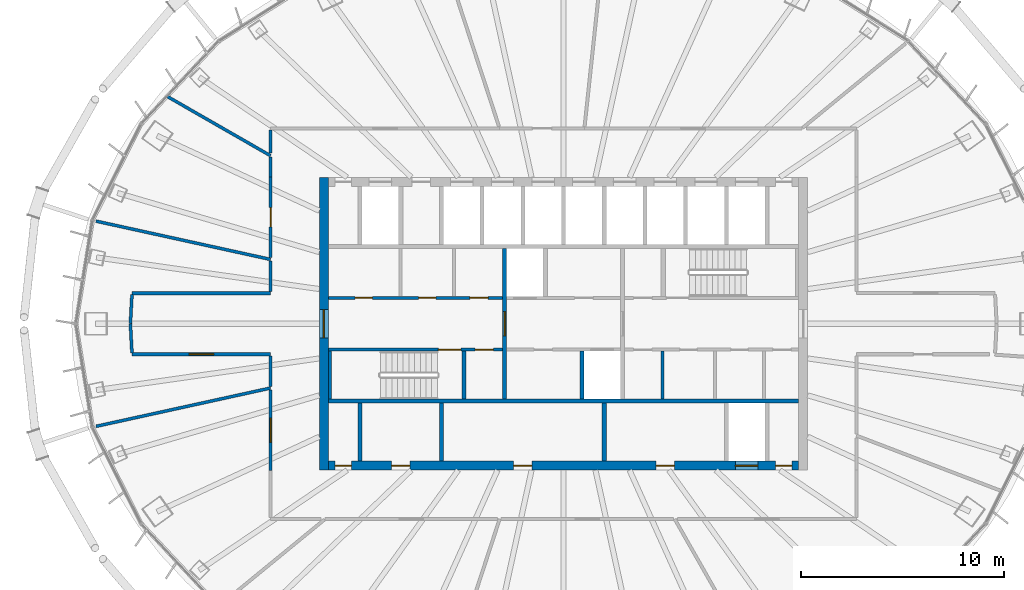
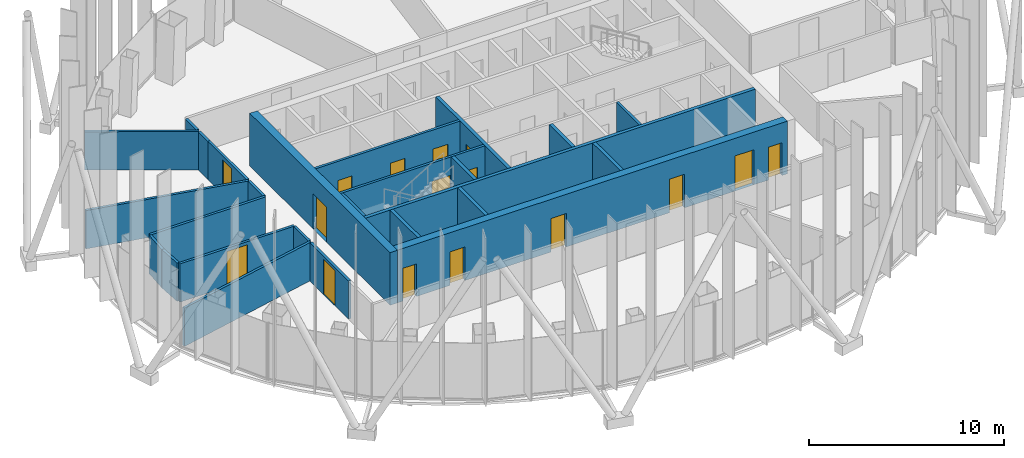
# One storey, part 9 of 18: 26 walls, 16 doors, 16 openings.
"""IFC4 building model written with IfcOpenShell, lengths in metres."""

from ifc_helpers import new_model, si_unit, direction, frame, frame_2d, origin, place, context, subcontext, project, spatial, rectangle, extrude, material, layer, layer_set, type_object, element, fill, save


model = new_model("IFC4")

# Units and contexts
model_context = context("Model", 3, precision=1e-05, world=origin(), true_north=direction((0.0, 1.0)))
body_context = subcontext(model_context, "Body", "Model", "MODEL_VIEW")
ifc_project = project(units=[si_unit("LENGTHUNIT", "METRE"), si_unit("AREAUNIT", "SQUARE_METRE"), si_unit("VOLUMEUNIT", "CUBIC_METRE"), si_unit("PLANEANGLEUNIT", "RADIAN"), si_unit("MASSUNIT", "GRAM", prefix="KILO")], contexts=[model_context])

# Site, building, storey
site_placement = place(None, origin())
site = spatial("IfcSite", under=ifc_project, at=site_placement, CompositionType="ELEMENT")
building_placement = place(site_placement, origin())
building = spatial("IfcBuilding", under=site, at=building_placement, Name="Siaravel Broadcast Tower", CompositionType="ELEMENT")
storey_placement = place(building_placement, frame((0.0, 0.0, 157.10009765625)))
storey = spatial("IfcBuildingStorey", under=building, at=storey_placement, Name="L37", CompositionType="ELEMENT", Elevation=157.10009765625)

# Walls
ifc_material_1 = material(Name="Concrete blockwork", Category="masonry")
ifc_layer_1 = layer(ifc_material_1, 0.14990234375)
ifc_layer_set_1 = layer_set([ifc_layer_1], Name="Concrete blockwork")
wall_type_1 = type_object("IfcWallType", Name="Core partition 150", PredefinedType="PARTITIONING", material=ifc_layer_set_1)
wall_1_placement = place(storey_placement, frame((4.85693359375, -3.699951171875, 0.0), z_axis=(0.0, 0.0, 1.0), x_axis=(0.0, 1.0, 0.0)))
element("IfcWall", 1, at=wall_1_placement, inside=storey, type_object=wall_type_1, Name="L37 core partition PSE0", PredefinedType="PARTITIONING", context=body_context, shape_type="SweptSolid", body=[
    extrude(rectangle(XDim=2.349853515625, YDim=0.14990234375, at=frame_2d((1.1748046875, 0.0))), origin(), (0.0, 0.0, 1.0), 3.2998046875),
])
ifc_layer_2 = layer(ifc_material_1, 0.199951171875)
ifc_layer_set_2 = layer_set([ifc_layer_2], Name="Concrete blockwork")
wall_type_2 = type_object("IfcWallType", Name="Core partition 200", PredefinedType="PARTITIONING", material=ifc_layer_set_2)
for number, where, z_axis, x_axis, name in (
    (2, (-6.0, -6.75, 0.0), (0.0, 0.0, 1.0), (0.0, 1.0, 0.0), "L37 core partition PFS0"),
    (3, (2.0, -6.75, 0.0), (0.0, 0.0, 1.0), (0.0, 1.0, 0.0), "L37 core partition PFS2"),
):
    element("IfcWall", number, at=place(storey_placement, frame(where, z_axis=z_axis, x_axis=x_axis)), inside=storey, type_object=wall_type_2, Name=name, PredefinedType="PARTITIONING", context=body_context, shape_type="SweptSolid", body=[
        extrude(rectangle(XDim=2.85009765625, YDim=0.199951171875, at=frame_2d((1.425048828125, 0.0))), origin(), (0.0, 0.0, 1.0), 3.2998046875),
    ])

# Wall, opening, door
ifc_material_2 = material(Name="Concrete C60/75", Category="concrete")
ifc_layer_3 = layer(ifc_material_2, 0.449951171875)
ifc_layer_set_3 = layer_set([ifc_layer_3], Name="Concrete C60/75")
wall_type_3 = type_object("IfcWallType", Name="Core wall 450", PredefinedType="SHEAR", material=ifc_layer_set_3)
wall_2_placement = place(storey_placement, frame((-11.77490234375, -7.199951171875, 0.0), z_axis=(0.0, 0.0, 1.0), x_axis=(0.0, 1.0, 0.0)))
wall_2 = element("IfcWall", 4, at=wall_2_placement, inside=storey, type_object=wall_type_3, Name="L37 core wall OW", PredefinedType="SHEAR", context=body_context, shape_type="SweptSolid", body=[
    extrude(rectangle(XDim=14.39990234375, YDim=0.449951171875, at=frame_2d((7.199951171875, 0.0))), origin(), (0.0, 0.0, 1.0), 3.2998046875),
])
opening_1_placement = place(wall_2_placement, frame((6.5, 0.0, 0.0)))
opening_1 = element("IfcOpeningElement", 5, at=opening_1_placement, cuts=wall_2, Name="Opening L37-DX-W", PredefinedType="OPENING", context=body_context, shape_type="SweptSolid", body=[
    extrude(rectangle(XDim=1.39990234375, YDim=2.199951171875, at=frame_2d((0.699951171875, 1.10009765625))), frame((0.0, 0.23486328125, 0.0), z_axis=(0.0, -1.0, 0.0), x_axis=(1.0, 0.0, 0.0)), (0.0, 0.0, 1.0), 0.469970703125),
])
ifc_material_3 = material(Name="Steel", Category="steel")
door_type_1 = type_object("IfcDoorType", Name="Core exit door 1400", OperationType="DOUBLE_DOOR_SINGLE_SWING", PredefinedType="DOOR", material=ifc_material_3)
door_1_placement = place(opening_1_placement, origin())
door_1 = element("IfcDoor", 6, at=door_1_placement, inside=storey, type_object=door_type_1, Name="L37 door DX-W", OperationType="DOUBLE_DOOR_SINGLE_SWING", OverallHeight=2.199951171875, OverallWidth=1.39990234375, PredefinedType="DOOR", context=body_context, shape_type="SweptSolid", body=[
    extrude(rectangle(XDim=1.39990234375, YDim=2.199951171875, at=frame_2d((0.699951171875, 1.10009765625))), frame((0.0, 0.02490234375, 0.0), z_axis=(0.0, -1.0, 0.0), x_axis=(1.0, 0.0, 0.0)), (0.0, 0.0, 1.0), 0.050048828125),
])
fill(opening_1, door_1)

# Wall, openings, doors
wall_3_placement = place(storey_placement, frame((-11.550048828125, -6.97509765625, 0.0), z_axis=(0.0, 0.0, 1.0), x_axis=(1.0, 0.0, 0.0)))
wall_3 = element("IfcWall", 7, at=wall_3_placement, inside=storey, type_object=wall_type_3, Name="L37 core wall OS", PredefinedType="SHEAR", context=body_context, shape_type="SweptSolid", body=[
    extrude(rectangle(XDim=23.10009765625, YDim=0.449951171875, at=frame_2d((11.550048828125, 0.0))), origin(), (0.0, 0.0, 1.0), 3.2998046875),
])
opening_2_placement = place(wall_3_placement, frame((20.0, 0.0, 0.0)))
opening_2 = element("IfcOpeningElement", 8, at=opening_2_placement, cuts=wall_3, Name="Opening LD-SV1-L37", PredefinedType="OPENING", context=body_context, shape_type="SweptSolid", body=[
    extrude(rectangle(XDim=1.10009765625, YDim=2.199951171875, at=frame_2d((0.550048828125, 1.10009765625))), frame((0.0, 0.23486328125, 0.0), z_axis=(0.0, -1.0, 0.0), x_axis=(1.0, 0.0, 0.0)), (0.0, 0.0, 1.0), 0.469970703125),
])
opening_3_placement = place(wall_3_placement, frame((3.10009765625, 0.0, 0.0)))
opening_3 = element("IfcOpeningElement", 9, at=opening_3_placement, cuts=wall_3, Name="Opening L37-DFS0", PredefinedType="OPENING", context=body_context, shape_type="SweptSolid", body=[
    extrude(rectangle(XDim=0.89990234375, YDim=2.10009765625, at=frame_2d((0.449951171875, 1.050048828125))), frame((0.0, 0.23486328125, 0.0), z_axis=(0.0, -1.0, 0.0), x_axis=(1.0, 0.0, 0.0)), (0.0, 0.0, 1.0), 0.469970703125),
])
opening_4_placement = place(wall_3_placement, frame((9.10009765625, 0.0, 0.0)))
opening_4 = element("IfcOpeningElement", 10, at=opening_4_placement, cuts=wall_3, Name="Opening L37-DFS2", PredefinedType="OPENING", context=body_context, shape_type="SweptSolid", body=[
    extrude(rectangle(XDim=0.89990234375, YDim=2.10009765625, at=frame_2d((0.449951171875, 1.050048828125))), frame((0.0, 0.23486328125, 0.0), z_axis=(0.0, -1.0, 0.0), x_axis=(1.0, 0.0, 0.0)), (0.0, 0.0, 1.0), 0.469970703125),
])
opening_5_placement = place(wall_3_placement, frame((16.10009765625, 0.0, 0.0)))
opening_5 = element("IfcOpeningElement", 11, at=opening_5_placement, cuts=wall_3, Name="Opening L37-DFS6", PredefinedType="OPENING", context=body_context, shape_type="SweptSolid", body=[
    extrude(rectangle(XDim=0.89990234375, YDim=2.10009765625, at=frame_2d((0.449951171875, 1.050048828125))), frame((0.0, 0.23486328125, 0.0), z_axis=(0.0, -1.0, 0.0), x_axis=(1.0, 0.0, 0.0)), (0.0, 0.0, 1.0), 0.469970703125),
])
opening_6_placement = place(wall_3_placement, frame((0.324951171875, 0.0, 0.0)))
opening_6 = element("IfcOpeningElement", 12, at=opening_6_placement, cuts=wall_3, Name="Opening L37-DRSW", PredefinedType="OPENING", context=body_context, shape_type="SweptSolid", body=[
    extrude(rectangle(XDim=0.800048828125, YDim=2.050048828125, at=frame_2d((0.39990234375, 1.02490234375))), frame((0.0, 0.23486328125, 0.0), z_axis=(0.0, -1.0, 0.0), x_axis=(1.0, 0.0, 0.0)), (0.0, 0.0, 1.0), 0.469970703125),
])
opening_7_placement = place(wall_3_placement, frame((21.97509765625, 0.0, 0.0)))
opening_7 = element("IfcOpeningElement", 13, at=opening_7_placement, cuts=wall_3, Name="Opening L37-DRSE", PredefinedType="OPENING", context=body_context, shape_type="SweptSolid", body=[
    extrude(rectangle(XDim=0.800048828125, YDim=2.050048828125, at=frame_2d((0.39990234375, 1.02490234375))), frame((0.0, 0.23486328125, 0.0), z_axis=(0.0, -1.0, 0.0), x_axis=(1.0, 0.0, 0.0)), (0.0, 0.0, 1.0), 0.469970703125),
])
ifc_material_4 = material(Name="Timber veneer", Category="wood")
door_type_2 = type_object("IfcDoorType", Name="Core room door 900", OperationType="SINGLE_SWING_LEFT", PredefinedType="DOOR", material=ifc_material_4)
door_2_placement = place(opening_3_placement, origin())
door_2 = element("IfcDoor", 14, at=door_2_placement, inside=storey, type_object=door_type_2, Name="L37 door DFS0", OperationType="SINGLE_SWING_LEFT", OverallHeight=2.10009765625, OverallWidth=0.89990234375, PredefinedType="DOOR", context=body_context, shape_type="SweptSolid", body=[
    extrude(rectangle(XDim=0.89990234375, YDim=2.10009765625, at=frame_2d((0.449951171875, 1.050048828125))), frame((0.0, 0.02490234375, 0.0), z_axis=(0.0, -1.0, 0.0), x_axis=(1.0, 0.0, 0.0)), (0.0, 0.0, 1.0), 0.050048828125),
])
fill(opening_3, door_2)
door_3_placement = place(opening_4_placement, origin())
door_3 = element("IfcDoor", 15, at=door_3_placement, inside=storey, type_object=door_type_2, Name="L37 door DFS2", OperationType="SINGLE_SWING_LEFT", OverallHeight=2.10009765625, OverallWidth=0.89990234375, PredefinedType="DOOR", context=body_context, shape_type="SweptSolid", body=[
    extrude(rectangle(XDim=0.89990234375, YDim=2.10009765625, at=frame_2d((0.449951171875, 1.050048828125))), frame((0.0, 0.02490234375, 0.0), z_axis=(0.0, -1.0, 0.0), x_axis=(1.0, 0.0, 0.0)), (0.0, 0.0, 1.0), 0.050048828125),
])
fill(opening_4, door_3)
door_4_placement = place(opening_5_placement, origin())
door_4 = element("IfcDoor", 16, at=door_4_placement, inside=storey, type_object=door_type_2, Name="L37 door DFS6", OperationType="SINGLE_SWING_LEFT", OverallHeight=2.10009765625, OverallWidth=0.89990234375, PredefinedType="DOOR", context=body_context, shape_type="SweptSolid", body=[
    extrude(rectangle(XDim=0.89990234375, YDim=2.10009765625, at=frame_2d((0.449951171875, 1.050048828125))), frame((0.0, 0.02490234375, 0.0), z_axis=(0.0, -1.0, 0.0), x_axis=(1.0, 0.0, 0.0)), (0.0, 0.0, 1.0), 0.050048828125),
])
fill(opening_5, door_4)
door_type_3 = type_object("IfcDoorType", Name="Riser door 800", OperationType="SINGLE_SWING_LEFT", PredefinedType="DOOR", material=ifc_material_3)
door_5_placement = place(opening_6_placement, origin())
door_5 = element("IfcDoor", 17, at=door_5_placement, inside=storey, type_object=door_type_3, Name="L37 door DRSW", OperationType="SINGLE_SWING_LEFT", OverallHeight=2.050048828125, OverallWidth=0.800048828125, PredefinedType="DOOR", context=body_context, shape_type="SweptSolid", body=[
    extrude(rectangle(XDim=0.800048828125, YDim=2.050048828125, at=frame_2d((0.39990234375, 1.02490234375))), frame((0.0, 0.02490234375, 0.0), z_axis=(0.0, -1.0, 0.0), x_axis=(1.0, 0.0, 0.0)), (0.0, 0.0, 1.0), 0.050048828125),
])
fill(opening_6, door_5)
door_6_placement = place(opening_7_placement, origin())
door_6 = element("IfcDoor", 18, at=door_6_placement, inside=storey, type_object=door_type_3, Name="L37 door DRSE", OperationType="SINGLE_SWING_LEFT", OverallHeight=2.050048828125, OverallWidth=0.800048828125, PredefinedType="DOOR", context=body_context, shape_type="SweptSolid", body=[
    extrude(rectangle(XDim=0.800048828125, YDim=2.050048828125, at=frame_2d((0.39990234375, 1.02490234375))), frame((0.0, 0.02490234375, 0.0), z_axis=(0.0, -1.0, 0.0), x_axis=(1.0, 0.0, 0.0)), (0.0, 0.0, 1.0), 0.050048828125),
])
fill(opening_7, door_6)
ifc_material_5 = material(Name="Stainless steel 316L", Category="steel")
door_type_4 = type_object("IfcDoorType", Name="Service lift landing door 1100", OperationType="DOUBLE_DOOR_SLIDING", PredefinedType="DOOR", material=ifc_material_5)
door_7_placement = place(opening_2_placement, origin())
door_7 = element("IfcDoor", 19, at=door_7_placement, inside=storey, type_object=door_type_4, Name="Landing door SV1 L37", OperationType="DOUBLE_DOOR_SLIDING", OverallHeight=2.199951171875, OverallWidth=1.10009765625, PredefinedType="DOOR", context=body_context, shape_type="SweptSolid", body=[
    extrude(rectangle(XDim=1.10009765625, YDim=2.199951171875, at=frame_2d((0.550048828125, 1.10009765625))), frame((0.0, 0.02490234375, 0.0), z_axis=(0.0, -1.0, 0.0), x_axis=(1.0, 0.0, 0.0)), (0.0, 0.0, 1.0), 0.050048828125),
])
fill(opening_2, door_7)

ifc_material_6 = material(Name="Gypsum board partition", Category="gypsum")
ifc_layer_4 = layer(ifc_material_6, 0.14990234375)
ifc_layer_set_4 = layer_set([ifc_layer_4], Name="Gypsum board partition")
wall_type_4 = type_object("IfcWallType", Name="Corridor wall 150", PredefinedType="PARTITIONING", material=ifc_layer_set_4)
wall_4_placement = place(storey_placement, frame((-11.550048828125, 1.27490234375, 0.0), z_axis=(0.0, 0.0, 1.0), x_axis=(1.0, 0.0, 0.0)))
wall_4 = element("IfcWall", 20, at=wall_4_placement, inside=storey, type_object=wall_type_4, Name="L37 core partition CNW", PredefinedType="PARTITIONING", context=body_context, shape_type="SweptSolid", body=[
    extrude(rectangle(XDim=8.550048828125, YDim=0.14990234375, at=frame_2d((4.27490234375, 0.0))), origin(), (0.0, 0.0, 1.0), 3.2998046875),
])
opening_8_placement = place(wall_4_placement, frame((1.3076171875, 0.0, 0.0)))
opening_8 = element("IfcOpeningElement", 21, at=opening_8_placement, cuts=wall_4, Name="Opening L37-DNW0", PredefinedType="OPENING", context=body_context, shape_type="SweptSolid", body=[
    extrude(rectangle(XDim=0.85009765625, YDim=2.10009765625, at=frame_2d((0.425048828125, 1.050048828125))), frame((0.0, 0.0849609375, 0.0), z_axis=(0.0, -1.0, 0.0), x_axis=(1.0, 0.0, 0.0)), (0.0, 0.0, 1.0), 0.169921875),
])
opening_9_placement = place(wall_4_placement, frame((4.427490234375, 0.0, 0.0)))
opening_9 = element("IfcOpeningElement", 22, at=opening_9_placement, cuts=wall_4, Name="Opening L37-DNW1", PredefinedType="OPENING", context=body_context, shape_type="SweptSolid", body=[
    extrude(rectangle(XDim=0.85009765625, YDim=2.10009765625, at=frame_2d((0.425048828125, 1.050048828125))), frame((0.0, 0.0849609375, 0.0), z_axis=(0.0, -1.0, 0.0), x_axis=(1.0, 0.0, 0.0)), (0.0, 0.0, 1.0), 0.169921875),
])
opening_10_placement = place(wall_4_placement, frame((6.945068359375, 0.0, 0.0)))
opening_10 = element("IfcOpeningElement", 23, at=opening_10_placement, cuts=wall_4, Name="Opening L37-DNW2", PredefinedType="OPENING", context=body_context, shape_type="SweptSolid", body=[
    extrude(rectangle(XDim=0.89990234375, YDim=2.10009765625, at=frame_2d((0.449951171875, 1.050048828125))), frame((0.0, 0.0849609375, 0.0), z_axis=(0.0, -1.0, 0.0), x_axis=(1.0, 0.0, 0.0)), (0.0, 0.0, 1.0), 0.169921875),
])
door_8_placement = place(opening_10_placement, origin())
door_8 = element("IfcDoor", 24, at=door_8_placement, inside=storey, type_object=door_type_2, Name="L37 door DNW2", OperationType="SINGLE_SWING_LEFT", OverallHeight=2.10009765625, OverallWidth=0.89990234375, PredefinedType="DOOR", context=body_context, shape_type="SweptSolid", body=[
    extrude(rectangle(XDim=0.89990234375, YDim=2.10009765625, at=frame_2d((0.449951171875, 1.050048828125))), frame((0.0, 0.02490234375, 0.0), z_axis=(0.0, -1.0, 0.0), x_axis=(1.0, 0.0, 0.0)), (0.0, 0.0, 1.0), 0.050048828125),
])
fill(opening_10, door_8)
door_type_5 = type_object("IfcDoorType", Name="Core toilet door 850", OperationType="SINGLE_SWING_LEFT", PredefinedType="DOOR", material=ifc_material_4)
door_9_placement = place(opening_8_placement, origin())
door_9 = element("IfcDoor", 25, at=door_9_placement, inside=storey, type_object=door_type_5, Name="L37 door DNW0", OperationType="SINGLE_SWING_LEFT", OverallHeight=2.10009765625, OverallWidth=0.85009765625, PredefinedType="DOOR", context=body_context, shape_type="SweptSolid", body=[
    extrude(rectangle(XDim=0.85009765625, YDim=2.10009765625, at=frame_2d((0.425048828125, 1.050048828125))), frame((0.0, 0.02490234375, 0.0), z_axis=(0.0, -1.0, 0.0), x_axis=(1.0, 0.0, 0.0)), (0.0, 0.0, 1.0), 0.050048828125),
])
fill(opening_8, door_9)
door_10_placement = place(opening_9_placement, origin())
door_10 = element("IfcDoor", 26, at=door_10_placement, inside=storey, type_object=door_type_5, Name="L37 door DNW1", OperationType="SINGLE_SWING_LEFT", OverallHeight=2.10009765625, OverallWidth=0.85009765625, PredefinedType="DOOR", context=body_context, shape_type="SweptSolid", body=[
    extrude(rectangle(XDim=0.85009765625, YDim=2.10009765625, at=frame_2d((0.425048828125, 1.050048828125))), frame((0.0, 0.02490234375, 0.0), z_axis=(0.0, -1.0, 0.0), x_axis=(1.0, 0.0, 0.0)), (0.0, 0.0, 1.0), 0.050048828125),
])
fill(opening_9, door_10)

# Wall, opening, door
wall_5_placement = place(storey_placement, frame((-21.20166015625, -1.5, 0.0), z_axis=(0.0, 0.0, 1.0), x_axis=(1.0, 0.0, 0.0)))
wall_5 = element("IfcWall", 27, at=wall_5_placement, inside=storey, type_object=wall_type_4, Name="L37 partition 13", PredefinedType="PARTITIONING", context=body_context, shape_type="SweptSolid", body=[
    extrude(rectangle(XDim=6.8017578125, YDim=0.14990234375, at=frame_2d((3.40087890625, 0.0))), origin(), (0.0, 0.0, 1.0), 2.39990234375),
])
opening_11_placement = place(wall_5_placement, frame((2.80078125, 0.0, 0.0)))
opening_11 = element("IfcOpeningElement", 28, at=opening_11_placement, cuts=wall_5, Name="Opening L37-006", PredefinedType="OPENING", context=body_context, shape_type="SweptSolid", body=[
    extrude(rectangle(XDim=1.199951171875, YDim=2.199951171875, at=frame_2d((0.60009765625, 1.10009765625))), frame((0.0, 0.0849609375, 0.0), z_axis=(0.0, -1.0, 0.0), x_axis=(1.0, 0.0, 0.0)), (0.0, 0.0, 1.0), 0.169921875),
])
door_type_6 = type_object("IfcDoorType", Name="Office double door 1200", OperationType="DOUBLE_DOOR_SINGLE_SWING", PredefinedType="DOOR", material=ifc_material_4)
door_11_placement = place(opening_11_placement, origin())
door_11 = element("IfcDoor", 29, at=door_11_placement, inside=storey, type_object=door_type_6, Name="L37 door to Open plan office", OperationType="DOUBLE_DOOR_SINGLE_SWING", OverallHeight=2.199951171875, OverallWidth=1.199951171875, PredefinedType="DOOR", context=body_context, shape_type="SweptSolid", body=[
    extrude(rectangle(XDim=1.199951171875, YDim=2.199951171875, at=frame_2d((0.60009765625, 1.10009765625))), frame((0.0, 0.02490234375, 0.0), z_axis=(0.0, -1.0, 0.0), x_axis=(1.0, 0.0, 0.0)), (0.0, 0.0, 1.0), 0.050048828125),
])
fill(opening_11, door_11)

# Wall
wall_6_placement = place(storey_placement, frame((-14.39990234375, 1.5, 0.0), z_axis=(0.0, 0.0, 1.0), x_axis=(-1.0, 0.0, 0.0)))
element("IfcWall", 30, at=wall_6_placement, inside=storey, type_object=wall_type_4, Name="L37 partition 14", PredefinedType="PARTITIONING", context=body_context, shape_type="SweptSolid", body=[
    extrude(rectangle(XDim=6.8017578125, YDim=0.14990234375, at=frame_2d((3.40087890625, 0.0))), origin(), (0.0, 0.0, 1.0), 2.39990234375),
])

# Wall, opening, door
wall_7_placement = place(storey_placement, frame((-14.39990234375, -3.255859375, 0.0), z_axis=(0.0, 0.0, 1.0), x_axis=(0.0, -1.0, 0.0)))
wall_7 = element("IfcWall", 31, at=wall_7_placement, inside=storey, type_object=wall_type_4, Name="L37 partition 22", PredefinedType="PARTITIONING", context=body_context, shape_type="SweptSolid", body=[
    extrude(rectangle(XDim=3.9560546875, YDim=0.14990234375, at=frame_2d((1.97802734375, 0.0))), origin(), (0.0, 0.0, 1.0), 2.39990234375),
])
opening_12_placement = place(wall_7_placement, frame((1.378173828125, 0.0, 0.0)))
opening_12 = element("IfcOpeningElement", 32, at=opening_12_placement, cuts=wall_7, Name="Opening L37-007", PredefinedType="OPENING", context=body_context, shape_type="SweptSolid", body=[
    extrude(rectangle(XDim=1.199951171875, YDim=2.199951171875, at=frame_2d((0.60009765625, 1.10009765625))), frame((0.0, 0.0849609375, 0.0), z_axis=(0.0, -1.0, 0.0), x_axis=(1.0, 0.0, 0.0)), (0.0, 0.0, 1.0), 0.169921875),
])
door_12_placement = place(opening_12_placement, origin())
door_12 = element("IfcDoor", 33, at=door_12_placement, inside=storey, type_object=door_type_6, Name="L37 door to Open plan office", OperationType="DOUBLE_DOOR_SINGLE_SWING", OverallHeight=2.199951171875, OverallWidth=1.199951171875, PredefinedType="DOOR", context=body_context, shape_type="SweptSolid", body=[
    extrude(rectangle(XDim=1.199951171875, YDim=2.199951171875, at=frame_2d((0.60009765625, 1.10009765625))), frame((0.0, 0.02490234375, 0.0), z_axis=(0.0, -1.0, 0.0), x_axis=(1.0, 0.0, 0.0)), (0.0, 0.0, 1.0), 0.050048828125),
])
fill(opening_12, door_12)

wall_8_placement = place(storey_placement, frame((-14.39990234375, 7.2119140625, 0.0), z_axis=(0.0, 0.0, 1.0), x_axis=(0.0, -1.0, 0.0)))
wall_8 = element("IfcWall", 34, at=wall_8_placement, inside=storey, type_object=wall_type_4, Name="L37 partition 23", PredefinedType="PARTITIONING", context=body_context, shape_type="SweptSolid", body=[
    extrude(rectangle(XDim=3.9560546875, YDim=0.14990234375, at=frame_2d((1.97802734375, 0.0))), origin(), (0.0, 0.0, 1.0), 2.39990234375),
])
opening_13_placement = place(wall_8_placement, frame((1.503173828125, 0.0, 0.0)))
opening_13 = element("IfcOpeningElement", 35, at=opening_13_placement, cuts=wall_8, Name="Opening L37-005", PredefinedType="OPENING", context=body_context, shape_type="SweptSolid", body=[
    extrude(rectangle(XDim=0.949951171875, YDim=2.14990234375, at=frame_2d((0.47509765625, 1.074951171875))), frame((0.0, 0.0849609375, 0.0), z_axis=(0.0, -1.0, 0.0), x_axis=(1.0, 0.0, 0.0)), (0.0, 0.0, 1.0), 0.169921875),
])
door_type_7 = type_object("IfcDoorType", Name="Office door 950", OperationType="SINGLE_SWING_LEFT", PredefinedType="DOOR", material=ifc_material_4)
door_13_placement = place(opening_13_placement, origin())
door_13 = element("IfcDoor", 36, at=door_13_placement, inside=storey, type_object=door_type_7, Name="L37 door to Reception", OperationType="SINGLE_SWING_LEFT", OverallHeight=2.14990234375, OverallWidth=0.949951171875, PredefinedType="DOOR", context=body_context, shape_type="SweptSolid", body=[
    extrude(rectangle(XDim=0.949951171875, YDim=2.14990234375, at=frame_2d((0.47509765625, 1.074951171875))), frame((0.0, 0.02490234375, 0.0), z_axis=(0.0, -1.0, 0.0), x_axis=(1.0, 0.0, 0.0)), (0.0, 0.0, 1.0), 0.050048828125),
])
fill(opening_13, door_13)

# Walls
for number, where, z_axis, x_axis, name in (
    (37, (-14.39990234375, -1.576904296875, 0.0), (0.0, 0.0, 1.0), (0.0, -1.0, 0.0), "L37 partition 32"),
    (38, (-14.39990234375, 3.085205078125, 0.0), (0.0, 0.0, 1.0), (0.0, -1.0, 0.0), "L37 partition 33"),
):
    element("IfcWall", number, at=place(storey_placement, frame(where, z_axis=z_axis, x_axis=x_axis)), inside=storey, type_object=wall_type_4, Name=name, PredefinedType="PARTITIONING", context=body_context, shape_type="SweptSolid", body=[
        extrude(rectangle(XDim=1.50830078125, YDim=0.14990234375, at=frame_2d((0.754150390625, 0.0))), origin(), (0.0, 0.0, 1.0), 2.39990234375),
    ])
wall_9_placement = place(storey_placement, frame((-21.289306640625, 0.0, 0.0), z_axis=(0.0, 0.0, 1.0), x_axis=(0.053239493, -0.998581773, 0.0)))
element("IfcWall", 39, at=wall_9_placement, inside=storey, type_object=wall_type_4, Name="L37 partition 35", PredefinedType="PARTITIONING", context=body_context, shape_type="SweptSolid", body=[
    extrude(rectangle(XDim=1.4306640625, YDim=0.14990234375, at=frame_2d((0.71533203125, 0.0))), origin(), (0.0, 0.0, 1.0), 2.39990234375),
])
wall_10_placement = place(storey_placement, frame((-21.213134765625, 1.4287109375, 0.0), z_axis=(0.0, 0.0, 1.0), x_axis=(-0.053271351, -0.998580073, 0.0)))
element("IfcWall", 40, at=wall_10_placement, inside=storey, type_object=wall_type_4, Name="L37 partition 36", PredefinedType="PARTITIONING", context=body_context, shape_type="SweptSolid", body=[
    extrude(rectangle(XDim=1.420654296875, YDim=0.14990234375, at=frame_2d((0.71044921875, 0.0))), origin(), (0.0, 0.0, 1.0), 2.39990234375),
])
wall_11_placement = place(storey_placement, frame((-14.39990234375, 9.52294921875, 0.0), z_axis=(0.0, 0.0, 1.0), x_axis=(0.0, -1.0, 0.0)))
element("IfcWall", 41, at=wall_11_placement, inside=storey, type_object=wall_type_4, Name="L37 partition 38", PredefinedType="PARTITIONING", context=body_context, shape_type="SweptSolid", body=[
    extrude(rectangle(XDim=1.13232421875, YDim=0.14990234375, at=frame_2d((0.566162109375, 0.0))), origin(), (0.0, 0.0, 1.0), 2.39990234375),
])
wall_12_placement = place(storey_placement, frame((-14.39990234375, 8.192138671875, 0.0), z_axis=(0.0, 0.0, 1.0), x_axis=(0.0, -1.0, 0.0)))
element("IfcWall", 42, at=wall_12_placement, inside=storey, type_object=wall_type_4, Name="L37 partition 39", PredefinedType="PARTITIONING", context=body_context, shape_type="SweptSolid", body=[
    extrude(rectangle(XDim=0.979248046875, YDim=0.14990234375, at=frame_2d((0.48974609375, 0.0))), origin(), (0.0, 0.0, 1.0), 2.39990234375),
])
ifc_layer_5 = layer(ifc_material_6, 0.14990234375)
ifc_layer_set_5 = layer_set([ifc_layer_5], Name="Gypsum board partition")
wall_type_5 = type_object("IfcWallType", Name="Room partition 150", PredefinedType="PARTITIONING", material=ifc_layer_set_5)
wall_13_placement = place(storey_placement, frame((-22.980712890625, 5.0439453125, 0.0), z_axis=(0.0, 0.0, 1.0), x_axis=(0.976745479, -0.214402122, 0.0)))
element("IfcWall", 43, at=wall_13_placement, inside=storey, type_object=wall_type_5, Name="L37 partition 8", PredefinedType="PARTITIONING", context=body_context, shape_type="SweptSolid", body=[
    extrude(rectangle(XDim=8.78515625, YDim=0.14990234375, at=frame_2d((4.392578125, 0.0))), origin(), (0.0, 0.0, 1.0), 2.39990234375),
])
wall_14_placement = place(storey_placement, frame((-22.9794921875, -5.043701171875, 0.0), z_axis=(0.0, 0.0, 1.0), x_axis=(0.976744911, 0.214404708, 0.0)))
element("IfcWall", 44, at=wall_14_placement, inside=storey, type_object=wall_type_5, Name="L37 partition 9", PredefinedType="PARTITIONING", context=body_context, shape_type="SweptSolid", body=[
    extrude(rectangle(XDim=8.783935546875, YDim=0.14990234375, at=frame_2d((4.39208984375, 0.0))), origin(), (0.0, 0.0, 1.0), 2.39990234375),
])
wall_15_placement = place(storey_placement, frame((-19.483154296875, 11.174560546875, 0.0), z_axis=(0.0, 0.0, 1.0), x_axis=(0.867447243, -0.497529176, 0.0)))
element("IfcWall", 45, at=wall_15_placement, inside=storey, type_object=wall_type_5, Name="L37 partition 19", PredefinedType="PARTITIONING", context=body_context, shape_type="SweptSolid", body=[
    extrude(rectangle(XDim=5.860107421875, YDim=0.14990234375, at=frame_2d((2.93017578125, 0.0))), origin(), (0.0, 0.0, 1.0), 2.39990234375),
])

# Wall, openings, doors
ifc_layer_6 = layer(ifc_material_2, 0.14990234375)
ifc_layer_set_6 = layer_set([ifc_layer_6], Name="Concrete C60/75")
wall_type_6 = type_object("IfcWallType", Name="Shaft wall 150", PredefinedType="SHEAR", material=ifc_layer_set_6)
wall_16_placement = place(storey_placement, frame((-11.550048828125, -1.27490234375, 0.0), z_axis=(0.0, 0.0, 1.0), x_axis=(1.0, 0.0, 0.0)))
wall_16 = element("IfcWall", 46, at=wall_16_placement, inside=storey, type_object=wall_type_6, Name="L37 core wall CSW", PredefinedType="SHEAR", context=body_context, shape_type="SweptSolid", body=[
    extrude(rectangle(XDim=8.550048828125, YDim=0.14990234375, at=frame_2d((4.27490234375, 0.0))), origin(), (0.0, 0.0, 1.0), 3.2998046875),
])
opening_14_placement = place(wall_16_placement, frame((5.39990234375, 0.0, 0.0)))
opening_14 = element("IfcOpeningElement", 47, at=opening_14_placement, cuts=wall_16, Name="Opening L37-DS-1", PredefinedType="OPENING", context=body_context, shape_type="SweptSolid", body=[
    extrude(rectangle(XDim=1.10009765625, YDim=2.14990234375, at=frame_2d((0.550048828125, 1.074951171875))), frame((0.0, 0.0849609375, 0.0), z_axis=(0.0, -1.0, 0.0), x_axis=(1.0, 0.0, 0.0)), (0.0, 0.0, 1.0), 0.169921875),
])
opening_15_placement = place(wall_16_placement, frame((7.199951171875, 0.0, 0.0)))
opening_15 = element("IfcOpeningElement", 48, at=opening_15_placement, cuts=wall_16, Name="Opening L37-DSW0", PredefinedType="OPENING", context=body_context, shape_type="SweptSolid", body=[
    extrude(rectangle(XDim=0.89990234375, YDim=2.10009765625, at=frame_2d((0.449951171875, 1.050048828125))), frame((0.0, 0.0849609375, 0.0), z_axis=(0.0, -1.0, 0.0), x_axis=(1.0, 0.0, 0.0)), (0.0, 0.0, 1.0), 0.169921875),
])
door_14_placement = place(opening_15_placement, origin())
door_14 = element("IfcDoor", 49, at=door_14_placement, inside=storey, type_object=door_type_2, Name="L37 door DSW0", OperationType="SINGLE_SWING_LEFT", OverallHeight=2.10009765625, OverallWidth=0.89990234375, PredefinedType="DOOR", context=body_context, shape_type="SweptSolid", body=[
    extrude(rectangle(XDim=0.89990234375, YDim=2.10009765625, at=frame_2d((0.449951171875, 1.050048828125))), frame((0.0, 0.02490234375, 0.0), z_axis=(0.0, -1.0, 0.0), x_axis=(1.0, 0.0, 0.0)), (0.0, 0.0, 1.0), 0.050048828125),
])
fill(opening_15, door_14)
door_type_8 = type_object("IfcDoorType", Name="Stair door 1100", OperationType="SINGLE_SWING_LEFT", PredefinedType="DOOR", material=ifc_material_3)
door_15_placement = place(opening_14_placement, origin())
door_15 = element("IfcDoor", 50, at=door_15_placement, inside=storey, type_object=door_type_8, Name="L37 door DS-1", OperationType="SINGLE_SWING_LEFT", OverallHeight=2.14990234375, OverallWidth=1.10009765625, PredefinedType="DOOR", context=body_context, shape_type="SweptSolid", body=[
    extrude(rectangle(XDim=1.10009765625, YDim=2.14990234375, at=frame_2d((0.550048828125, 1.074951171875))), frame((0.0, 0.02490234375, 0.0), z_axis=(0.0, -1.0, 0.0), x_axis=(1.0, 0.0, 0.0)), (0.0, 0.0, 1.0), 0.050048828125),
])
fill(opening_14, door_15)

# Walls
wall_17_placement = place(storey_placement, frame((-11.47509765625, -3.699951171875, 0.0), z_axis=(0.0, 0.0, 1.0), x_axis=(0.0, 1.0, 0.0)))
element("IfcWall", 51, at=wall_17_placement, inside=storey, type_object=wall_type_6, Name="L37 core wall ST1W", PredefinedType="SHEAR", context=body_context, shape_type="SweptSolid", body=[
    extrude(rectangle(XDim=2.349853515625, YDim=0.14990234375, at=frame_2d((1.1748046875, 0.0))), origin(), (0.0, 0.0, 1.0), 3.2998046875),
])
ifc_layer_7 = layer(ifc_material_2, 0.199951171875)
ifc_layer_set_7 = layer_set([ifc_layer_7], Name="Concrete C60/75")
wall_type_7 = type_object("IfcWallType", Name="Shaft wall 200", PredefinedType="SHEAR", material=ifc_layer_set_7)
wall_18_placement = place(storey_placement, frame((-11.550048828125, -3.800048828125, 0.0), z_axis=(0.0, 0.0, 1.0), x_axis=(1.0, 0.0, 0.0)))
element("IfcWall", 52, at=wall_18_placement, inside=storey, type_object=wall_type_7, Name="L37 core wall BS", PredefinedType="SHEAR", context=body_context, shape_type="SweptSolid", body=[
    extrude(rectangle(XDim=23.10009765625, YDim=0.199951171875, at=frame_2d((11.550048828125, 0.0))), origin(), (0.0, 0.0, 1.0), 3.2998046875),
])
wall_19_placement = place(storey_placement, frame((-10.0, -6.75, 0.0), z_axis=(0.0, 0.0, 1.0), x_axis=(0.0, 1.0, 0.0)))
element("IfcWall", 53, at=wall_19_placement, inside=storey, type_object=wall_type_7, Name="L37 core wall SWS0", PredefinedType="SHEAR", context=body_context, shape_type="SweptSolid", body=[
    extrude(rectangle(XDim=2.85009765625, YDim=0.199951171875, at=frame_2d((1.425048828125, 0.0))), origin(), (0.0, 0.0, 1.0), 3.2998046875),
])

# Wall, opening, door
wall_20_placement = place(storey_placement, frame((-2.89990234375, -3.699951171875, 0.0), z_axis=(0.0, 0.0, 1.0), x_axis=(0.0, 1.0, 0.0)))
wall_20 = element("IfcWall", 54, at=wall_20_placement, inside=storey, type_object=wall_type_7, Name="L37 core wall LW", PredefinedType="SHEAR", context=body_context, shape_type="SweptSolid", body=[
    extrude(rectangle(XDim=7.39990234375, YDim=0.199951171875, at=frame_2d((3.699951171875, 0.0))), origin(), (0.0, 0.0, 1.0), 3.2998046875),
])
opening_16_placement = place(wall_20_placement, frame((3.10009765625, 0.0, 0.0)))
opening_16 = element("IfcOpeningElement", 55, at=opening_16_placement, cuts=wall_20, Name="Opening L37-DL-W", PredefinedType="OPENING", context=body_context, shape_type="SweptSolid", body=[
    extrude(rectangle(XDim=1.199951171875, YDim=2.199951171875, at=frame_2d((0.60009765625, 1.10009765625))), frame((0.0, 0.10986328125, 0.0), z_axis=(0.0, -1.0, 0.0), x_axis=(1.0, 0.0, 0.0)), (0.0, 0.0, 1.0), 0.219970703125),
])
door_type_9 = type_object("IfcDoorType", Name="Firefighting lobby door 1200", OperationType="SINGLE_SWING_LEFT", PredefinedType="DOOR", material=ifc_material_3)
door_16_placement = place(opening_16_placement, origin())
door_16 = element("IfcDoor", 56, at=door_16_placement, inside=storey, type_object=door_type_9, Name="L37 door DL-W", OperationType="SINGLE_SWING_LEFT", OverallHeight=2.199951171875, OverallWidth=1.199951171875, PredefinedType="DOOR", context=body_context, shape_type="SweptSolid", body=[
    extrude(rectangle(XDim=1.199951171875, YDim=2.199951171875, at=frame_2d((0.60009765625, 1.10009765625))), frame((0.0, 0.02490234375, 0.0), z_axis=(0.0, -1.0, 0.0), x_axis=(1.0, 0.0, 0.0)), (0.0, 0.0, 1.0), 0.050048828125),
])
fill(opening_16, door_16)

# Walls
for number, where, z_axis, x_axis, name in (
    (57, (0.89990234375, -3.699951171875, 0.0), (0.0, 0.0, 1.0), (0.0, 1.0, 0.0), "L37 core wall FF2W"),
    (58, (-4.89990234375, -3.699951171875, 0.0), (0.0, 0.0, 1.0), (0.0, 1.0, 0.0), "L37 core wall ST1E"),
):
    element("IfcWall", number, at=place(storey_placement, frame(where, z_axis=z_axis, x_axis=x_axis)), inside=storey, type_object=wall_type_7, Name=name, PredefinedType="SHEAR", context=body_context, shape_type="SweptSolid", body=[
        extrude(rectangle(XDim=2.349853515625, YDim=0.199951171875, at=frame_2d((1.1748046875, 0.0))), origin(), (0.0, 0.0, 1.0), 3.2998046875),
    ])

save(model, "model.ifc")
